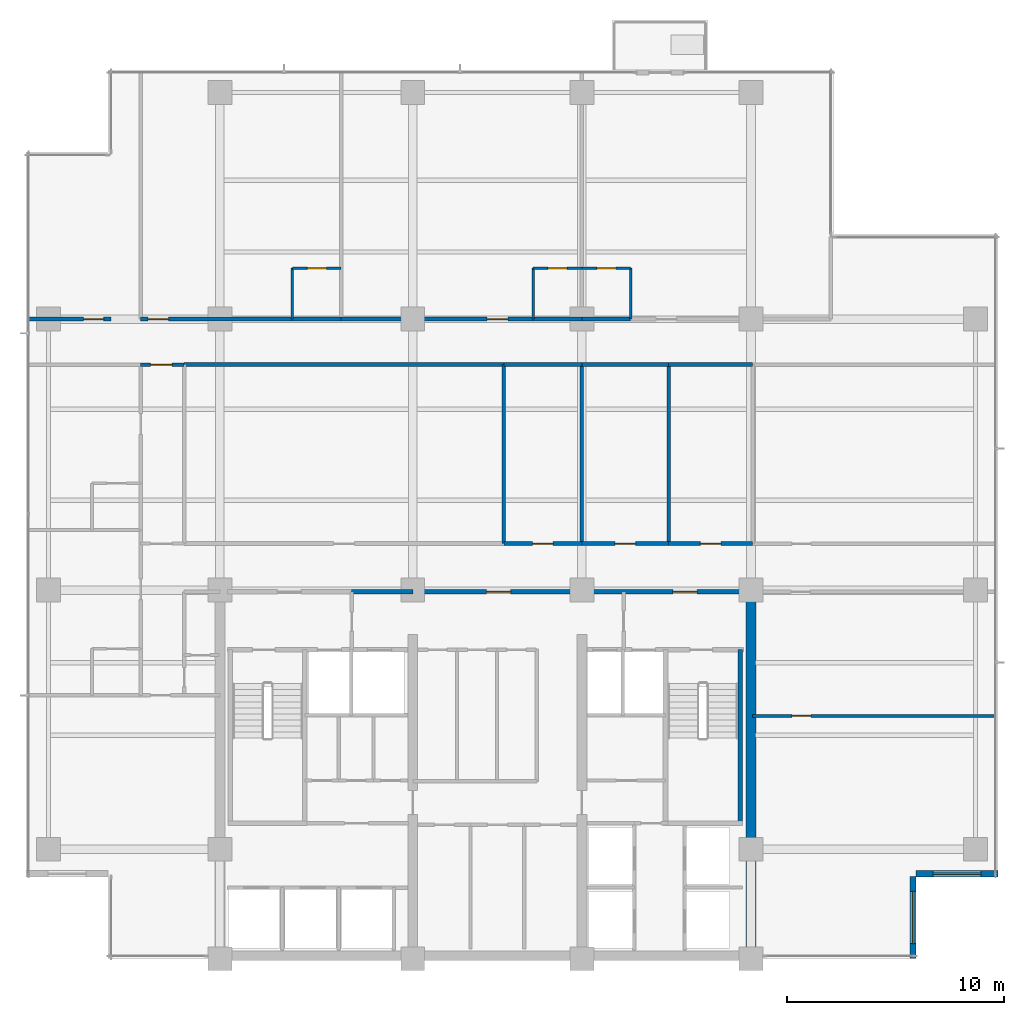
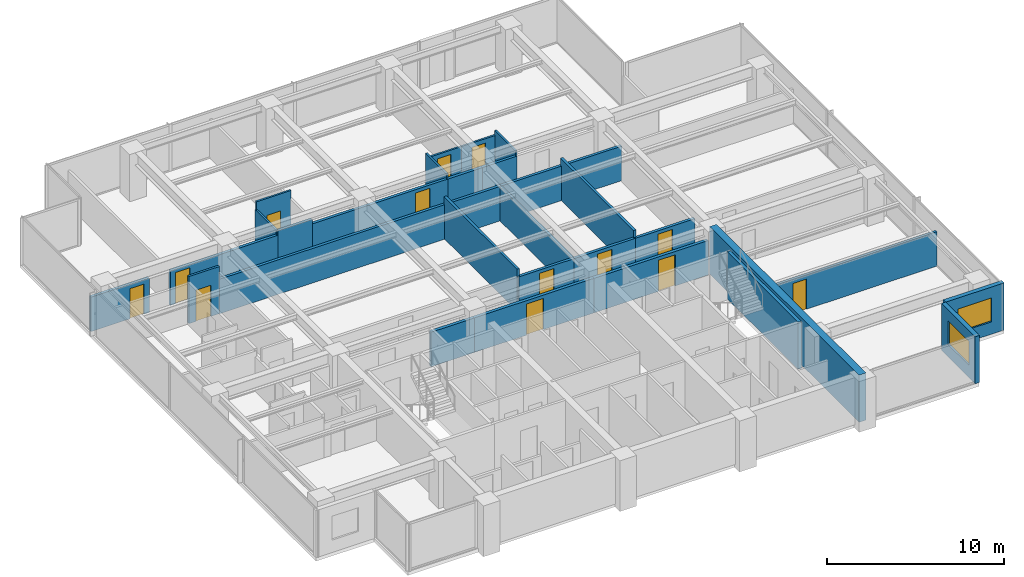
# One storey, part 9 of 15: 31 walls, 13 doors, 2 windows, 15 openings.
"""IFC4 building model written with IfcOpenShell, lengths in metres."""

from ifc_helpers import new_model, si_unit, direction, frame, frame_2d, origin, place, context, subcontext, project, spatial, rectangle, extrude, material, layer, layer_set, type_object, element, fill, save


model = new_model("IFC4")

# Units and contexts
model_context = context("Model", 3, precision=1e-05, world=origin(), true_north=direction((0.0, 1.0)))
body_context = subcontext(model_context, "Body", "Model", "MODEL_VIEW")
ifc_project = project(units=[si_unit("LENGTHUNIT", "METRE"), si_unit("AREAUNIT", "SQUARE_METRE"), si_unit("VOLUMEUNIT", "CUBIC_METRE"), si_unit("PLANEANGLEUNIT", "RADIAN"), si_unit("MASSUNIT", "GRAM", prefix="KILO")], contexts=[model_context])

# Site, building, storey
site_placement = place(None, origin())
site = spatial("IfcSite", under=ifc_project, at=site_placement, CompositionType="ELEMENT")
building_placement = place(site_placement, origin())
building = spatial("IfcBuilding", under=site, at=building_placement, Name="Qalmaran Belvedere Hotel", CompositionType="ELEMENT")
storey_placement = place(building_placement, frame((0.0, 0.0, 163.10009765625)))
storey = spatial("IfcBuildingStorey", under=building, at=storey_placement, Name="L41", CompositionType="ELEMENT", Elevation=163.10009765625)

# Wall
ifc_material_1 = material(Name="Concrete C50/60", Category="concrete")
ifc_layer_1 = layer(ifc_material_1, 0.449951171875, Name="Concrete C50/60")
ifc_layer_set_1 = layer_set([ifc_layer_1], Name="Concrete C50/60")
wall_type_1 = type_object("IfcWallType", Name="WL-CORE-450-C50", PredefinedType="SHEAR", material=ifc_layer_set_1)
wall_1_placement = place(storey_placement, frame((44.800048828125, 3.5, 0.0), z_axis=(0.0, 0.0, 1.0), x_axis=(0.0, 1.0, 0.0)))
element("IfcWall", 1, at=wall_1_placement, inside=storey, type_object=wall_type_1, Name="L41 East Core Shear Wall", PredefinedType="SHEAR", context=body_context, shape_type="SweptSolid", body=[
    extrude(rectangle(XDim=16.89990234375, YDim=0.449951171875, at=frame_2d((8.449951171875, 0.0))), origin(), (0.0, 0.0, 1.0), 3.25),
])

# Wall, opening, window
ifc_material_2 = material(Name="Anodised Bronze Cladding")
ifc_layer_2 = layer(ifc_material_2, 0.280029296875, Name="Anodised Bronze Cladding")
ifc_layer_set_2 = layer_set([ifc_layer_2], Name="Anodised Bronze Cladding")
wall_type_2 = type_object("IfcWallType", Name="WL-EXT-BRNZ-280", PredefinedType="SOLIDWALL", material=ifc_layer_set_2)
wall_2_placement = place(storey_placement, frame((52.280029296875, 3.5, 0.0), z_axis=(0.0, 0.0, 1.0), x_axis=(0.0, 1.0, 0.0)))
wall_2 = element("IfcWall", 2, at=wall_2_placement, inside=storey, type_object=wall_type_2, Name="L41 Corner Notch Wall 1", PredefinedType="SOLIDWALL", context=body_context, shape_type="SweptSolid", body=[
    extrude(rectangle(XDim=3.800048828125, YDim=0.280029296875, at=frame_2d((1.89990234375, 0.0))), origin(), (0.0, 0.0, 1.0), 3.25),
])
opening_1_placement = place(wall_2_placement, frame((0.699951171875, 0.0, 0.85009765625)))
opening_1 = element("IfcOpeningElement", 3, at=opening_1_placement, cuts=wall_2, Name="Opening W-N24", PredefinedType="OPENING", context=body_context, shape_type="SweptSolid", body=[
    extrude(rectangle(XDim=2.39990234375, YDim=1.64990234375, at=frame_2d((1.199951171875, 0.824951171875))), frame((0.0, 0.14990234375, 0.0), z_axis=(0.0, -1.0, 0.0), x_axis=(1.0, 0.0, 0.0)), (0.0, 0.0, 1.0), 0.300048828125),
])
ifc_material_3 = material(Name="Solar-Control Double Glazing", Category="glass")
window_type_1 = type_object("IfcWindowType", Name="WN-NTC-2400X1650", PartitioningType="SINGLE_PANEL", PredefinedType="WINDOW", material=ifc_material_3)
window_1_placement = place(opening_1_placement, origin())
window_1 = element("IfcWindow", 4, at=window_1_placement, inside=storey, type_object=window_type_1, Name="L41 Corner Notch Window 1", OverallHeight=1.64990234375, OverallWidth=2.39990234375, PartitioningType="SINGLE_PANEL", PredefinedType="WINDOW", context=body_context, shape_type="SweptSolid", body=[
    extrude(rectangle(XDim=2.39990234375, YDim=1.64990234375, at=frame_2d((1.199951171875, 0.824951171875))), frame((0.0, 0.030029296875, 0.0), z_axis=(0.0, -1.0, 0.0), x_axis=(1.0, 0.0, 0.0)), (0.0, 0.0, 1.0), 0.06005859375),
])
fill(opening_1, window_1)

wall_3_placement = place(storey_placement, frame((52.39990234375, 7.419921875, 0.0), z_axis=(0.0, 0.0, 1.0), x_axis=(1.0, 0.0, 0.0)))
wall_3 = element("IfcWall", 5, at=wall_3_placement, inside=storey, type_object=wall_type_2, Name="L41 Corner Notch Wall 2", PredefinedType="SOLIDWALL", context=body_context, shape_type="SweptSolid", body=[
    extrude(rectangle(XDim=3.800048828125, YDim=0.280029296875, at=frame_2d((1.89990234375, 0.0))), origin(), (0.0, 0.0, 1.0), 3.25),
])
opening_2_placement = place(wall_3_placement, frame((0.800048828125, 0.0, 0.85009765625)))
opening_2 = element("IfcOpeningElement", 6, at=opening_2_placement, cuts=wall_3, Name="Opening W-N22", PredefinedType="OPENING", context=body_context, shape_type="SweptSolid", body=[
    extrude(rectangle(XDim=2.199951171875, YDim=1.64990234375, at=frame_2d((1.10009765625, 0.824951171875))), frame((0.0, 0.14990234375, 0.0), z_axis=(0.0, -1.0, 0.0), x_axis=(1.0, 0.0, 0.0)), (0.0, 0.0, 1.0), 0.300048828125),
])
window_type_2 = type_object("IfcWindowType", Name="WN-NTC-2200X1650", PartitioningType="SINGLE_PANEL", PredefinedType="WINDOW", material=ifc_material_3)
window_2_placement = place(opening_2_placement, origin())
window_2 = element("IfcWindow", 7, at=window_2_placement, inside=storey, type_object=window_type_2, Name="L41 Corner Notch Window 2", OverallHeight=1.64990234375, OverallWidth=2.199951171875, PartitioningType="SINGLE_PANEL", PredefinedType="WINDOW", context=body_context, shape_type="SweptSolid", body=[
    extrude(rectangle(XDim=2.199951171875, YDim=1.64990234375, at=frame_2d((1.10009765625, 0.824951171875))), frame((0.0, 0.030029296875, 0.0), z_axis=(0.0, -1.0, 0.0), x_axis=(1.0, 0.0, 0.0)), (0.0, 0.0, 1.0), 0.06005859375),
])
fill(opening_2, window_2)

# Wall, opening, door
ifc_material_4 = material(Name="Moisture-Resistant Gypsum")
ifc_layer_3 = layer(ifc_material_4, 0.1201171875, Name="Moisture-Resistant Gypsum")
ifc_layer_set_3 = layer_set([ifc_layer_3], Name="Moisture-Resistant Gypsum")
wall_type_3 = type_object("IfcWallType", Name="WL-INT-120-BATH", PredefinedType="PARTITIONING", material=ifc_layer_set_3)
wall_4_placement = place(storey_placement, frame((23.647216796875, 35.35009765625, 0.0), z_axis=(0.0, 0.0, 1.0), x_axis=(1.0, 0.0, 0.0)))
wall_4 = element("IfcWall", 8, at=wall_4_placement, inside=storey, type_object=wall_type_3, Name="L41 Partition WL-L41-NBN00", PredefinedType="PARTITIONING", context=body_context, shape_type="SweptSolid", body=[
    extrude(rectangle(XDim=2.25, YDim=0.1201171875, at=frame_2d((1.125, 0.0))), origin(), (0.0, 0.0, 1.0), 3.25),
])
opening_3_placement = place(wall_4_placement, frame((1.56494140625, 0.0, 0.0), z_axis=(0.0, 0.0, 1.0), x_axis=(-1.0, 0.0, 0.0)))
opening_3 = element("IfcOpeningElement", 9, at=opening_3_placement, cuts=wall_4, Name="Opening D-BATH", PredefinedType="OPENING", context=body_context, shape_type="SweptSolid", body=[
    extrude(rectangle(XDim=0.8798828125, YDim=2.080078125, at=frame_2d((0.43994140625, 1.0400390625))), frame((0.0, 0.070068359375, 0.0), z_axis=(0.0, -1.0, 0.0), x_axis=(1.0, 0.0, 0.0)), (0.0, 0.0, 1.0), 0.14013671875),
])
ifc_material_5 = material(Name="Engineered Oak Veneer")
door_type_1 = type_object("IfcDoorType", Name="DR-INT-BATH-880X2080", OperationType="NOTDEFINED", PredefinedType="DOOR", material=ifc_material_5)
door_1_placement = place(opening_3_placement, origin())
door_1 = element("IfcDoor", 10, at=door_1_placement, inside=storey, type_object=door_type_1, Name="L41 Ensuite Bathroom Door N01", OperationType="SINGLE_SWING_LEFT", OverallHeight=2.080078125, OverallWidth=0.8798828125, PredefinedType="DOOR", context=body_context, shape_type="SweptSolid", body=[
    extrude(rectangle(XDim=0.8798828125, YDim=2.080078125, at=frame_2d((0.43994140625, 1.0400390625))), frame((0.0, 0.02490234375, 0.0), z_axis=(0.0, -1.0, 0.0), x_axis=(1.0, 0.0, 0.0)), (0.0, 0.0, 1.0), 0.050048828125),
])
fill(opening_3, door_1)

# Wall
wall_5_placement = place(storey_placement, frame((23.647216796875, 33.0, 0.0), z_axis=(0.0, 0.0, 1.0), x_axis=(0.0, 1.0, 0.0)))
element("IfcWall", 11, at=wall_5_placement, inside=storey, type_object=wall_type_3, Name="L41 Partition WL-L41-NBS00", PredefinedType="PARTITIONING", context=body_context, shape_type="SweptSolid", body=[
    extrude(rectangle(XDim=2.35009765625, YDim=0.1201171875, at=frame_2d((1.175048828125, 0.0))), origin(), (0.0, 0.0, 1.0), 2.69189453125),
])

# Wall, opening, door
wall_6_placement = place(storey_placement, frame((34.75, 35.35009765625, 0.0), z_axis=(0.0, 0.0, 1.0), x_axis=(1.0, 0.0, 0.0)))
wall_6 = element("IfcWall", 12, at=wall_6_placement, inside=storey, type_object=wall_type_3, Name="L41 Partition WL-L41-NBN01", PredefinedType="PARTITIONING", context=body_context, shape_type="SweptSolid", body=[
    extrude(rectangle(XDim=2.25, YDim=0.1201171875, at=frame_2d((1.125, 0.0))), origin(), (0.0, 0.0, 1.0), 2.3798828125),
])
opening_4_placement = place(wall_6_placement, frame((1.56494140625, 0.0, 0.0), z_axis=(0.0, 0.0, 1.0), x_axis=(-1.0, 0.0, 0.0)))
opening_4 = element("IfcOpeningElement", 13, at=opening_4_placement, cuts=wall_6, Name="Opening D-BATH", PredefinedType="OPENING", context=body_context, shape_type="SweptSolid", body=[
    extrude(rectangle(XDim=0.8798828125, YDim=2.080078125, at=frame_2d((0.43994140625, 1.0400390625))), frame((0.0, 0.070068359375, 0.0), z_axis=(0.0, -1.0, 0.0), x_axis=(1.0, 0.0, 0.0)), (0.0, 0.0, 1.0), 0.14013671875),
])
door_2_placement = place(opening_4_placement, origin())
door_2 = element("IfcDoor", 14, at=door_2_placement, inside=storey, type_object=door_type_1, Name="L41 Ensuite Bathroom Door N02", OperationType="SINGLE_SWING_LEFT", OverallHeight=2.080078125, OverallWidth=0.8798828125, PredefinedType="DOOR", context=body_context, shape_type="SweptSolid", body=[
    extrude(rectangle(XDim=0.8798828125, YDim=2.080078125, at=frame_2d((0.43994140625, 1.0400390625))), frame((0.0, 0.02490234375, 0.0), z_axis=(0.0, -1.0, 0.0), x_axis=(1.0, 0.0, 0.0)), (0.0, 0.0, 1.0), 0.050048828125),
])
fill(opening_4, door_2)

# Wall
wall_7_placement = place(storey_placement, frame((34.75, 33.0, 0.0), z_axis=(0.0, 0.0, 1.0), x_axis=(0.0, 1.0, 0.0)))
element("IfcWall", 15, at=wall_7_placement, inside=storey, type_object=wall_type_3, Name="L41 Partition WL-L41-NBS01", PredefinedType="PARTITIONING", context=body_context, shape_type="SweptSolid", body=[
    extrude(rectangle(XDim=2.35009765625, YDim=0.1201171875, at=frame_2d((1.175048828125, 0.0))), origin(), (0.0, 0.0, 1.0), 2.69189453125),
])

# Wall, opening, door
wall_8_placement = place(storey_placement, frame((37.0, 35.35009765625, 0.0), z_axis=(0.0, 0.0, 1.0), x_axis=(1.0, 0.0, 0.0)))
wall_8 = element("IfcWall", 16, at=wall_8_placement, inside=storey, type_object=wall_type_3, Name="L41 Partition WL-L41-NBN02", PredefinedType="PARTITIONING", context=body_context, shape_type="SweptSolid", body=[
    extrude(rectangle(XDim=2.25, YDim=0.1201171875, at=frame_2d((1.125, 0.0))), origin(), (0.0, 0.0, 1.0), 2.3798828125),
])
opening_5_placement = place(wall_8_placement, frame((1.56494140625, 0.0, 0.0), z_axis=(0.0, 0.0, 1.0), x_axis=(-1.0, 0.0, 0.0)))
opening_5 = element("IfcOpeningElement", 17, at=opening_5_placement, cuts=wall_8, Name="Opening D-BATH", PredefinedType="OPENING", context=body_context, shape_type="SweptSolid", body=[
    extrude(rectangle(XDim=0.8798828125, YDim=2.080078125, at=frame_2d((0.43994140625, 1.0400390625))), frame((0.0, 0.070068359375, 0.0), z_axis=(0.0, -1.0, 0.0), x_axis=(1.0, 0.0, 0.0)), (0.0, 0.0, 1.0), 0.14013671875),
])
door_3_placement = place(opening_5_placement, origin())
door_3 = element("IfcDoor", 18, at=door_3_placement, inside=storey, type_object=door_type_1, Name="L41 Ensuite Bathroom Door N03", OperationType="SINGLE_SWING_LEFT", OverallHeight=2.080078125, OverallWidth=0.8798828125, PredefinedType="DOOR", context=body_context, shape_type="SweptSolid", body=[
    extrude(rectangle(XDim=0.8798828125, YDim=2.080078125, at=frame_2d((0.43994140625, 1.0400390625))), frame((0.0, 0.02490234375, 0.0), z_axis=(0.0, -1.0, 0.0), x_axis=(1.0, 0.0, 0.0)), (0.0, 0.0, 1.0), 0.050048828125),
])
fill(opening_5, door_3)

# Wall
wall_9_placement = place(storey_placement, frame((39.25, 33.0, 0.0), z_axis=(0.0, 0.0, 1.0), x_axis=(0.0, 1.0, 0.0)))
element("IfcWall", 19, at=wall_9_placement, inside=storey, type_object=wall_type_3, Name="L41 Partition WL-L41-NBS02", PredefinedType="PARTITIONING", context=body_context, shape_type="SweptSolid", body=[
    extrude(rectangle(XDim=2.35009765625, YDim=0.1201171875, at=frame_2d((1.175048828125, 0.0))), origin(), (0.0, 0.0, 1.0), 2.69189453125),
])

# Wall, opening, door
ifc_material_6 = material(Name="Gypsum Stud Partition")
ifc_layer_4 = layer(ifc_material_6, 0.14990234375, Name="Gypsum Stud Partition")
ifc_layer_set_4 = layer_set([ifc_layer_4], Name="Gypsum Stud Partition")
wall_type_4 = type_object("IfcWallType", Name="WL-INT-150-EI60", PredefinedType="PARTITIONING", material=ifc_layer_set_4)
wall_10_placement = place(storey_placement, frame((44.8798828125, 14.699951171875, 0.0), z_axis=(0.0, 0.0, 1.0), x_axis=(1.0, 0.0, 0.0)))
wall_10 = element("IfcWall", 20, at=wall_10_placement, inside=storey, type_object=wall_type_4, Name="L41 Partition WL-L41-ECEH0", PredefinedType="PARTITIONING", context=body_context, shape_type="SweptSolid", body=[
    extrude(rectangle(XDim=11.2001953125, YDim=0.14990234375, at=frame_2d((5.60009765625, 0.0))), origin(), (0.0, 0.0, 1.0), 2.3798828125),
])
opening_6_placement = place(wall_10_placement, frame((2.679931640625, 0.0, 0.0), z_axis=(0.0, 0.0, 1.0), x_axis=(-1.0, 0.0, 0.0)))
opening_6 = element("IfcOpeningElement", 21, at=opening_6_placement, cuts=wall_10, Name="Opening FD60B", PredefinedType="OPENING", context=body_context, shape_type="SweptSolid", body=[
    extrude(rectangle(XDim=0.8798828125, YDim=2.080078125, at=frame_2d((0.43994140625, 1.0400390625))), frame((0.0, 0.0849609375, 0.0), z_axis=(0.0, -1.0, 0.0), x_axis=(1.0, 0.0, 0.0)), (0.0, 0.0, 1.0), 0.169921875),
])
ifc_material_7 = material(Name="Steel S355JR", Category="steel")
door_type_2 = type_object("IfcDoorType", Name="DR-FD60B-880X2080", OperationType="NOTDEFINED", PredefinedType="DOOR", material=ifc_material_7)
door_4_placement = place(opening_6_placement, origin())
door_4 = element("IfcDoor", 22, at=door_4_placement, inside=storey, type_object=door_type_2, Name="L41 East Study Inner Door", OperationType="SINGLE_SWING_RIGHT", OverallHeight=2.080078125, OverallWidth=0.8798828125, PredefinedType="DOOR", context=body_context, shape_type="SweptSolid", body=[
    extrude(rectangle(XDim=0.8798828125, YDim=2.080078125, at=frame_2d((0.43994140625, 1.0400390625))), frame((0.0, 0.02490234375, 0.0), z_axis=(0.0, -1.0, 0.0), x_axis=(1.0, 0.0, 0.0)), (0.0, 0.0, 1.0), 0.050048828125),
])
fill(opening_6, door_4)

wall_11_placement = place(storey_placement, frame((16.64990234375, 30.89990234375, 0.0), z_axis=(0.0, 0.0, 1.0), x_axis=(1.0, 0.0, 0.0)))
wall_11 = element("IfcWall", 23, at=wall_11_placement, inside=storey, type_object=wall_type_4, Name="L41 Partition WL-L41-XCW2", PredefinedType="PARTITIONING", context=body_context, shape_type="SweptSolid", body=[
    extrude(rectangle(XDim=2.0, YDim=0.14990234375, at=frame_2d((1.0, 0.0))), origin(), (0.0, 0.0, 1.0), 3.25),
])
opening_7_placement = place(wall_11_placement, frame((0.449951171875, 0.0, 0.0)))
opening_7 = element("IfcOpeningElement", 24, at=opening_7_placement, cuts=wall_11, Name="Opening FD90B", PredefinedType="OPENING", context=body_context, shape_type="SweptSolid", body=[
    extrude(rectangle(XDim=1.0, YDim=2.14990234375, at=frame_2d((0.5, 1.074951171875))), frame((0.0, 0.0849609375, 0.0), z_axis=(0.0, -1.0, 0.0), x_axis=(1.0, 0.0, 0.0)), (0.0, 0.0, 1.0), 0.169921875),
])
door_type_3 = type_object("IfcDoorType", Name="DR-FD90B-1000X2150", OperationType="NOTDEFINED", PredefinedType="DOOR", material=ifc_material_7)
door_5_placement = place(opening_7_placement, origin())
door_5 = element("IfcDoor", 25, at=door_5_placement, inside=storey, type_object=door_type_3, Name="L41 West Corridor Smoke Door N", OperationType="SINGLE_SWING_RIGHT", OverallHeight=2.14990234375, OverallWidth=1.0, PredefinedType="DOOR", context=body_context, shape_type="SweptSolid", body=[
    extrude(rectangle(XDim=1.0, YDim=2.14990234375, at=frame_2d((0.5, 1.074951171875))), frame((0.0, 0.02490234375, 0.0), z_axis=(0.0, -1.0, 0.0), x_axis=(1.0, 0.0, 0.0)), (0.0, 0.0, 1.0), 0.050048828125),
])
fill(opening_7, door_5)

# Walls
ifc_layer_5 = layer(ifc_material_6, 0.159912109375, Name="Gypsum Stud Partition")
ifc_layer_set_5 = layer_set([ifc_layer_5], Name="Gypsum Stud Partition")
wall_type_5 = type_object("IfcWallType", Name="WL-INT-160-EI60", PredefinedType="PARTITIONING", material=ifc_layer_set_5)
wall_12_placement = place(storey_placement, frame((33.39990234375, 22.64990234375, 0.0), z_axis=(0.0, 0.0, 1.0), x_axis=(0.0, 1.0, 0.0)))
element("IfcWall", 26, at=wall_12_placement, inside=storey, type_object=wall_type_5, Name="L41 Partition WL-L41-MIDVR1", PredefinedType="PARTITIONING", context=body_context, shape_type="SweptSolid", body=[
    extrude(rectangle(XDim=8.25, YDim=0.159912109375, at=frame_2d((4.125, 0.0))), origin(), (0.0, 0.0, 1.0), 2.880859375),
])
wall_13_placement = place(storey_placement, frame((37.0, 22.64990234375, 0.0), z_axis=(0.0, 0.0, 1.0), x_axis=(0.0, 1.0, 0.0)))
element("IfcWall", 27, at=wall_13_placement, inside=storey, type_object=wall_type_5, Name="L41 Partition WL-L41-MIDVR2", PredefinedType="PARTITIONING", context=body_context, shape_type="SweptSolid", body=[
    extrude(rectangle(XDim=8.25, YDim=0.159912109375, at=frame_2d((4.125, 0.0))), origin(), (0.0, 0.0, 1.0), 2.3798828125),
])
wall_14_placement = place(storey_placement, frame((41.0, 22.64990234375, 0.0), z_axis=(0.0, 0.0, 1.0), x_axis=(0.0, 1.0, 0.0)))
element("IfcWall", 28, at=wall_14_placement, inside=storey, type_object=wall_type_5, Name="L41 Partition WL-L41-MIDVR3", PredefinedType="PARTITIONING", context=body_context, shape_type="SweptSolid", body=[
    extrude(rectangle(XDim=8.25, YDim=0.159912109375, at=frame_2d((4.125, 0.0))), origin(), (0.0, 0.0, 1.0), 2.880859375),
])
ifc_layer_6 = layer(ifc_material_6, 0.179931640625, Name="Gypsum Stud Partition")
ifc_layer_set_6 = layer_set([ifc_layer_6], Name="Gypsum Stud Partition")
wall_type_6 = type_object("IfcWallType", Name="WL-INT-180-EI60", PredefinedType="PARTITIONING", material=ifc_layer_set_6)
wall_15_placement = place(storey_placement, frame((18.64990234375, 30.89990234375, 0.0), z_axis=(0.0, 0.0, 1.0), x_axis=(1.0, 0.0, 0.0)))
element("IfcWall", 29, at=wall_15_placement, inside=storey, type_object=wall_type_6, Name="L41 Partition WL-L41-MIDO1", PredefinedType="PARTITIONING", context=body_context, shape_type="SweptSolid", body=[
    extrude(rectangle(XDim=14.75, YDim=0.179931640625, at=frame_2d((7.375, 0.0))), origin(), (0.0, 0.0, 1.0), 2.3798828125),
])

# Wall, opening, door
wall_16_placement = place(storey_placement, frame((33.39990234375, 22.64990234375, 0.0), z_axis=(0.0, 0.0, 1.0), x_axis=(1.0, 0.0, 0.0)))
wall_16 = element("IfcWall", 30, at=wall_16_placement, inside=storey, type_object=wall_type_6, Name="L41 Partition WL-L41-MIDD2", PredefinedType="PARTITIONING", context=body_context, shape_type="SweptSolid", body=[
    extrude(rectangle(XDim=3.60009765625, YDim=0.179931640625, at=frame_2d((1.800048828125, 0.0))), origin(), (0.0, 0.0, 1.0), 2.3798828125),
])
opening_8_placement = place(wall_16_placement, frame((1.324951171875, 0.0, 0.0)))
opening_8 = element("IfcOpeningElement", 31, at=opening_8_placement, cuts=wall_16, Name="Opening FD60", PredefinedType="OPENING", context=body_context, shape_type="SweptSolid", body=[
    extrude(rectangle(XDim=0.949951171875, YDim=2.14990234375, at=frame_2d((0.47509765625, 1.074951171875))), frame((0.0, 0.10009765625, 0.0), z_axis=(0.0, -1.0, 0.0), x_axis=(1.0, 0.0, 0.0)), (0.0, 0.0, 1.0), 0.199951171875),
])
door_type_4 = type_object("IfcDoorType", Name="DR-FD60-950X2150", OperationType="NOTDEFINED", PredefinedType="DOOR", material=ifc_material_5)
door_6_placement = place(opening_8_placement, origin())
door_6 = element("IfcDoor", 32, at=door_6_placement, inside=storey, type_object=door_type_4, Name="L41 Butler Pantry Door", OperationType="SINGLE_SWING_RIGHT", OverallHeight=2.14990234375, OverallWidth=0.949951171875, PredefinedType="DOOR", context=body_context, shape_type="SweptSolid", body=[
    extrude(rectangle(XDim=0.949951171875, YDim=2.14990234375, at=frame_2d((0.47509765625, 1.074951171875))), frame((0.0, 0.02490234375, 0.0), z_axis=(0.0, -1.0, 0.0), x_axis=(1.0, 0.0, 0.0)), (0.0, 0.0, 1.0), 0.050048828125),
])
fill(opening_8, door_6)

# Wall
wall_17_placement = place(storey_placement, frame((33.39990234375, 30.89990234375, 0.0), z_axis=(0.0, 0.0, 1.0), x_axis=(1.0, 0.0, 0.0)))
element("IfcWall", 33, at=wall_17_placement, inside=storey, type_object=wall_type_6, Name="L41 Partition WL-L41-MIDO2", PredefinedType="PARTITIONING", context=body_context, shape_type="SweptSolid", body=[
    extrude(rectangle(XDim=3.60009765625, YDim=0.179931640625, at=frame_2d((1.800048828125, 0.0))), origin(), (0.0, 0.0, 1.0), 2.3798828125),
])

# Wall, opening, door
wall_18_placement = place(storey_placement, frame((37.0, 22.64990234375, 0.0), z_axis=(0.0, 0.0, 1.0), x_axis=(1.0, 0.0, 0.0)))
wall_18 = element("IfcWall", 34, at=wall_18_placement, inside=storey, type_object=wall_type_6, Name="L41 Partition WL-L41-MIDD3", PredefinedType="PARTITIONING", context=body_context, shape_type="SweptSolid", body=[
    extrude(rectangle(XDim=4.0, YDim=0.179931640625, at=frame_2d((2.0, 0.0))), origin(), (0.0, 0.0, 1.0), 2.3798828125),
])
opening_9_placement = place(wall_18_placement, frame((1.52490234375, 0.0, 0.0)))
opening_9 = element("IfcOpeningElement", 35, at=opening_9_placement, cuts=wall_18, Name="Opening FD60", PredefinedType="OPENING", context=body_context, shape_type="SweptSolid", body=[
    extrude(rectangle(XDim=0.949951171875, YDim=2.14990234375, at=frame_2d((0.47509765625, 1.074951171875))), frame((0.0, 0.10009765625, 0.0), z_axis=(0.0, -1.0, 0.0), x_axis=(1.0, 0.0, 0.0)), (0.0, 0.0, 1.0), 0.199951171875),
])
door_7_placement = place(opening_9_placement, origin())
door_7 = element("IfcDoor", 36, at=door_7_placement, inside=storey, type_object=door_type_4, Name="L41 Coffee Pantry Door", OperationType="SINGLE_SWING_LEFT", OverallHeight=2.14990234375, OverallWidth=0.949951171875, PredefinedType="DOOR", context=body_context, shape_type="SweptSolid", body=[
    extrude(rectangle(XDim=0.949951171875, YDim=2.14990234375, at=frame_2d((0.47509765625, 1.074951171875))), frame((0.0, 0.02490234375, 0.0), z_axis=(0.0, -1.0, 0.0), x_axis=(1.0, 0.0, 0.0)), (0.0, 0.0, 1.0), 0.050048828125),
])
fill(opening_9, door_7)

# Wall
wall_19_placement = place(storey_placement, frame((37.0, 30.89990234375, 0.0), z_axis=(0.0, 0.0, 1.0), x_axis=(1.0, 0.0, 0.0)))
element("IfcWall", 37, at=wall_19_placement, inside=storey, type_object=wall_type_6, Name="L41 Partition WL-L41-MIDO3", PredefinedType="PARTITIONING", context=body_context, shape_type="SweptSolid", body=[
    extrude(rectangle(XDim=4.0, YDim=0.179931640625, at=frame_2d((2.0, 0.0))), origin(), (0.0, 0.0, 1.0), 2.3798828125),
])

# Wall, opening, door
wall_20_placement = place(storey_placement, frame((41.0, 22.64990234375, 0.0), z_axis=(0.0, 0.0, 1.0), x_axis=(1.0, 0.0, 0.0)))
wall_20 = element("IfcWall", 38, at=wall_20_placement, inside=storey, type_object=wall_type_6, Name="L41 Partition WL-L41-MIDD4", PredefinedType="PARTITIONING", context=body_context, shape_type="SweptSolid", body=[
    extrude(rectangle(XDim=3.8798828125, YDim=0.179931640625, at=frame_2d((1.93994140625, 0.0))), origin(), (0.0, 0.0, 1.0), 2.3798828125),
])
opening_10_placement = place(wall_20_placement, frame((1.465087890625, 0.0, 0.0)))
opening_10 = element("IfcOpeningElement", 39, at=opening_10_placement, cuts=wall_20, Name="Opening FD60", PredefinedType="OPENING", context=body_context, shape_type="SweptSolid", body=[
    extrude(rectangle(XDim=0.949951171875, YDim=2.14990234375, at=frame_2d((0.47509765625, 1.074951171875))), frame((0.0, 0.10009765625, 0.0), z_axis=(0.0, -1.0, 0.0), x_axis=(1.0, 0.0, 0.0)), (0.0, 0.0, 1.0), 0.199951171875),
])
door_8_placement = place(opening_10_placement, origin())
door_8 = element("IfcDoor", 40, at=door_8_placement, inside=storey, type_object=door_type_4, Name="L41 Beverage Pantry Door", OperationType="SINGLE_SWING_RIGHT", OverallHeight=2.14990234375, OverallWidth=0.949951171875, PredefinedType="DOOR", context=body_context, shape_type="SweptSolid", body=[
    extrude(rectangle(XDim=0.949951171875, YDim=2.14990234375, at=frame_2d((0.47509765625, 1.074951171875))), frame((0.0, 0.02490234375, 0.0), z_axis=(0.0, -1.0, 0.0), x_axis=(1.0, 0.0, 0.0)), (0.0, 0.0, 1.0), 0.050048828125),
])
fill(opening_10, door_8)

# Walls
wall_21_placement = place(storey_placement, frame((41.0, 30.89990234375, 0.0), z_axis=(0.0, 0.0, 1.0), x_axis=(1.0, 0.0, 0.0)))
element("IfcWall", 41, at=wall_21_placement, inside=storey, type_object=wall_type_6, Name="L41 Partition WL-L41-MIDO4", PredefinedType="PARTITIONING", context=body_context, shape_type="SweptSolid", body=[
    extrude(rectangle(XDim=3.8798828125, YDim=0.179931640625, at=frame_2d((1.93994140625, 0.0))), origin(), (0.0, 0.0, 1.0), 2.3798828125),
])
wall_22_placement = place(storey_placement, frame((23.647216796875, 33.0, 0.0), z_axis=(0.0, 0.0, 1.0), x_axis=(1.0, 0.0, 0.0)))
element("IfcWall", 42, at=wall_22_placement, inside=storey, type_object=wall_type_6, Name="L41 Partition WL-L41-NBC00", PredefinedType="PARTITIONING", context=body_context, shape_type="SweptSolid", body=[
    extrude(rectangle(XDim=2.25, YDim=0.179931640625, at=frame_2d((1.125, 0.0))), origin(), (0.0, 0.0, 1.0), 2.69189453125),
])

# Wall, opening, door
wall_23_placement = place(storey_placement, frame((16.64990234375, 33.0, 0.0), z_axis=(0.0, 0.0, 1.0), x_axis=(1.0, 0.0, 0.0)))
wall_23 = element("IfcWall", 43, at=wall_23_placement, inside=storey, type_object=wall_type_6, Name="L41 Partition WL-L41-NEC00", PredefinedType="PARTITIONING", context=body_context, shape_type="SweptSolid", body=[
    extrude(rectangle(XDim=6.997314453125, YDim=0.179931640625, at=frame_2d((3.49853515625, 0.0))), origin(), (0.0, 0.0, 1.0), 2.3798828125),
])
opening_11_placement = place(wall_23_placement, frame((0.33935546875, 0.0, 0.0)))
opening_11 = element("IfcOpeningElement", 44, at=opening_11_placement, cuts=wall_23, Name="Opening FD60", PredefinedType="OPENING", context=body_context, shape_type="SweptSolid", body=[
    extrude(rectangle(XDim=0.949951171875, YDim=2.14990234375, at=frame_2d((0.47509765625, 1.074951171875))), frame((0.0, 0.10009765625, 0.0), z_axis=(0.0, -1.0, 0.0), x_axis=(1.0, 0.0, 0.0)), (0.0, 0.0, 1.0), 0.199951171875),
])
door_9_placement = place(opening_11_placement, origin())
door_9 = element("IfcDoor", 45, at=door_9_placement, inside=storey, type_object=door_type_4, Name="L41 Guest Entrance Door N01", OperationType="SINGLE_SWING_RIGHT", OverallHeight=2.14990234375, OverallWidth=0.949951171875, PredefinedType="DOOR", context=body_context, shape_type="SweptSolid", body=[
    extrude(rectangle(XDim=0.949951171875, YDim=2.14990234375, at=frame_2d((0.47509765625, 1.074951171875))), frame((0.0, 0.02490234375, 0.0), z_axis=(0.0, -1.0, 0.0), x_axis=(1.0, 0.0, 0.0)), (0.0, 0.0, 1.0), 0.050048828125),
])
fill(opening_11, door_9)

# Wall
wall_24_placement = place(storey_placement, frame((34.75, 33.0, 0.0), z_axis=(0.0, 0.0, 1.0), x_axis=(1.0, 0.0, 0.0)))
element("IfcWall", 46, at=wall_24_placement, inside=storey, type_object=wall_type_6, Name="L41 Partition WL-L41-NBC01", PredefinedType="PARTITIONING", context=body_context, shape_type="SweptSolid", body=[
    extrude(rectangle(XDim=2.25, YDim=0.179931640625, at=frame_2d((1.125, 0.0))), origin(), (0.0, 0.0, 1.0), 2.3798828125),
])

# Wall, opening, door
wall_25_placement = place(storey_placement, frame((25.897216796875, 33.0, 0.0), z_axis=(0.0, 0.0, 1.0), x_axis=(1.0, 0.0, 0.0)))
wall_25 = element("IfcWall", 47, at=wall_25_placement, inside=storey, type_object=wall_type_6, Name="L41 Partition WL-L41-NEC01", PredefinedType="PARTITIONING", context=body_context, shape_type="SweptSolid", body=[
    extrude(rectangle(XDim=8.852783203125, YDim=0.179931640625, at=frame_2d((4.42626953125, 0.0))), origin(), (0.0, 0.0, 1.0), 2.3798828125),
])
opening_12_placement = place(wall_25_placement, frame((6.735107421875, 0.0, 0.0)))
opening_12 = element("IfcOpeningElement", 48, at=opening_12_placement, cuts=wall_25, Name="Opening FD60", PredefinedType="OPENING", context=body_context, shape_type="SweptSolid", body=[
    extrude(rectangle(XDim=0.949951171875, YDim=2.14990234375, at=frame_2d((0.47509765625, 1.074951171875))), frame((0.0, 0.10009765625, 0.0), z_axis=(0.0, -1.0, 0.0), x_axis=(1.0, 0.0, 0.0)), (0.0, 0.0, 1.0), 0.199951171875),
])
door_10_placement = place(opening_12_placement, origin())
door_10 = element("IfcDoor", 49, at=door_10_placement, inside=storey, type_object=door_type_4, Name="L41 Guest Entrance Door N02", OperationType="SINGLE_SWING_RIGHT", OverallHeight=2.14990234375, OverallWidth=0.949951171875, PredefinedType="DOOR", context=body_context, shape_type="SweptSolid", body=[
    extrude(rectangle(XDim=0.949951171875, YDim=2.14990234375, at=frame_2d((0.47509765625, 1.074951171875))), frame((0.0, 0.02490234375, 0.0), z_axis=(0.0, -1.0, 0.0), x_axis=(1.0, 0.0, 0.0)), (0.0, 0.0, 1.0), 0.050048828125),
])
fill(opening_12, door_10)

# Wall
wall_26_placement = place(storey_placement, frame((37.0, 33.0, 0.0), z_axis=(0.0, 0.0, 1.0), x_axis=(1.0, 0.0, 0.0)))
element("IfcWall", 50, at=wall_26_placement, inside=storey, type_object=wall_type_6, Name="L41 Partition WL-L41-NBC02", PredefinedType="PARTITIONING", context=body_context, shape_type="SweptSolid", body=[
    extrude(rectangle(XDim=2.25, YDim=0.179931640625, at=frame_2d((1.125, 0.0))), origin(), (0.0, 0.0, 1.0), 2.3798828125),
])

# Wall, opening, door
wall_27_placement = place(storey_placement, frame((11.469970703125, 33.0, 0.0), z_axis=(0.0, 0.0, 1.0), x_axis=(1.0, 0.0, 0.0)))
wall_27 = element("IfcWall", 51, at=wall_27_placement, inside=storey, type_object=wall_type_6, Name="L41 Partition WL-L41-NWSD", PredefinedType="PARTITIONING", context=body_context, shape_type="SweptSolid", body=[
    extrude(rectangle(XDim=3.800048828125, YDim=0.179931640625, at=frame_2d((1.89990234375, 0.0))), origin(), (0.0, 0.0, 1.0), 2.3798828125),
])
opening_13_placement = place(wall_27_placement, frame((2.543701171875, 0.0, 0.0)))
opening_13 = element("IfcOpeningElement", 52, at=opening_13_placement, cuts=wall_27, Name="Opening FD60S1", PredefinedType="OPENING", context=body_context, shape_type="SweptSolid", body=[
    extrude(rectangle(XDim=0.919921875, YDim=2.080078125, at=frame_2d((0.4599609375, 1.0400390625))), frame((0.0, 0.10009765625, 0.0), z_axis=(0.0, -1.0, 0.0), x_axis=(1.0, 0.0, 0.0)), (0.0, 0.0, 1.0), 0.199951171875),
])
door_type_5 = type_object("IfcDoorType", Name="DR-FD60S-920X2080", OperationType="NOTDEFINED", PredefinedType="DOOR", material=ifc_material_5)
door_11_placement = place(opening_13_placement, origin())
door_11 = element("IfcDoor", 53, at=door_11_placement, inside=storey, type_object=door_type_5, Name="L41 NW Belvedere Study Door", OperationType="SINGLE_SWING_LEFT", OverallHeight=2.080078125, OverallWidth=0.919921875, PredefinedType="DOOR", context=body_context, shape_type="SweptSolid", body=[
    extrude(rectangle(XDim=0.919921875, YDim=2.080078125, at=frame_2d((0.4599609375, 1.0400390625))), frame((0.0, 0.02490234375, 0.0), z_axis=(0.0, -1.0, 0.0), x_axis=(1.0, 0.0, 0.0)), (0.0, 0.0, 1.0), 0.050048828125),
])
fill(opening_13, door_11)

# Wall
ifc_material_8 = material(Name="Concrete C30/37 Blockwork", Category="masonry")
ifc_layer_7 = layer(ifc_material_8, 0.199951171875, Name="Concrete C30/37 Blockwork")
ifc_layer_set_7 = layer_set([ifc_layer_7], Name="Concrete C30/37 Blockwork")
wall_type_7 = type_object("IfcWallType", Name="WL-INT-200-EI120", PredefinedType="PARTITIONING", material=ifc_layer_set_7)
wall_28_placement = place(storey_placement, frame((26.3798828125, 20.419921875, 0.0), z_axis=(0.0, 0.0, 1.0), x_axis=(1.0, 0.0, 0.0)))
element("IfcWall", 54, at=wall_28_placement, inside=storey, type_object=wall_type_7, Name="L41 Partition WL-CN1B-L41", PredefinedType="PARTITIONING", context=body_context, shape_type="SweptSolid", body=[
    extrude(rectangle(XDim=2.820068359375, YDim=0.199951171875, at=frame_2d((1.41015625, 0.0))), origin(), (0.0, 0.0, 1.0), 2.3798828125),
])

# Wall, opening, door
wall_29_placement = place(storey_placement, frame((29.199951171875, 20.419921875, 0.0), z_axis=(0.0, 0.0, 1.0), x_axis=(1.0, 0.0, 0.0)))
wall_29 = element("IfcWall", 55, at=wall_29_placement, inside=storey, type_object=wall_type_7, Name="L41 Partition WL-CN2-L41", PredefinedType="PARTITIONING", context=body_context, shape_type="SweptSolid", body=[
    extrude(rectangle(XDim=7.800048828125, YDim=0.199951171875, at=frame_2d((3.89990234375, 0.0))), origin(), (0.0, 0.0, 1.0), 2.3798828125),
])
opening_14_placement = place(wall_29_placement, frame((3.4091796875, 0.0, 0.0)))
opening_14 = element("IfcOpeningElement", 56, at=opening_14_placement, cuts=wall_29, Name="Opening FD90", PredefinedType="OPENING", context=body_context, shape_type="SweptSolid", body=[
    extrude(rectangle(XDim=1.10009765625, YDim=2.14990234375, at=frame_2d((0.550048828125, 1.074951171875))), frame((0.0, 0.10986328125, 0.0), z_axis=(0.0, -1.0, 0.0), x_axis=(1.0, 0.0, 0.0)), (0.0, 0.0, 1.0), 0.219970703125),
])
door_type_6 = type_object("IfcDoorType", Name="DR-FD90-1100X2150", OperationType="NOTDEFINED", PredefinedType="DOOR", material=ifc_material_7)
door_12_placement = place(opening_14_placement, origin())
door_12 = element("IfcDoor", 57, at=door_12_placement, inside=storey, type_object=door_type_6, Name="L41 Central Lift Lobby Door", OperationType="SINGLE_SWING_RIGHT", OverallHeight=2.14990234375, OverallWidth=1.10009765625, PredefinedType="DOOR", context=body_context, shape_type="SweptSolid", body=[
    extrude(rectangle(XDim=1.10009765625, YDim=2.14990234375, at=frame_2d((0.550048828125, 1.074951171875))), frame((0.0, 0.02490234375, 0.0), z_axis=(0.0, -1.0, 0.0), x_axis=(1.0, 0.0, 0.0)), (0.0, 0.0, 1.0), 0.050048828125),
])
fill(opening_14, door_12)

wall_30_placement = place(storey_placement, frame((37.0, 20.419921875, 0.0), z_axis=(0.0, 0.0, 1.0), x_axis=(1.0, 0.0, 0.0)))
wall_30 = element("IfcWall", 58, at=wall_30_placement, inside=storey, type_object=wall_type_7, Name="L41 Partition WL-CN3-L41", PredefinedType="PARTITIONING", context=body_context, shape_type="SweptSolid", body=[
    extrude(rectangle(XDim=7.449951171875, YDim=0.199951171875, at=frame_2d((3.72509765625, 0.0))), origin(), (0.0, 0.0, 1.0), 2.3798828125),
])
opening_15_placement = place(wall_30_placement, frame((4.199951171875, 0.0, 0.0)))
opening_15 = element("IfcOpeningElement", 59, at=opening_15_placement, cuts=wall_30, Name="Opening FD90", PredefinedType="OPENING", context=body_context, shape_type="SweptSolid", body=[
    extrude(rectangle(XDim=1.10009765625, YDim=2.14990234375, at=frame_2d((0.550048828125, 1.074951171875))), frame((0.0, 0.10986328125, 0.0), z_axis=(0.0, -1.0, 0.0), x_axis=(1.0, 0.0, 0.0)), (0.0, 0.0, 1.0), 0.219970703125),
])
door_13_placement = place(opening_15_placement, origin())
door_13 = element("IfcDoor", 60, at=door_13_placement, inside=storey, type_object=door_type_6, Name="L41 FF2 Lobby Corridor Door", OperationType="SINGLE_SWING_LEFT", OverallHeight=2.14990234375, OverallWidth=1.10009765625, PredefinedType="DOOR", context=body_context, shape_type="SweptSolid", body=[
    extrude(rectangle(XDim=1.10009765625, YDim=2.14990234375, at=frame_2d((0.550048828125, 1.074951171875))), frame((0.0, 0.02490234375, 0.0), z_axis=(0.0, -1.0, 0.0), x_axis=(1.0, 0.0, 0.0)), (0.0, 0.0, 1.0), 0.050048828125),
])
fill(opening_15, door_13)

# Wall
ifc_layer_8 = layer(ifc_material_1, 0.2099609375, Name="Concrete C50/60")
ifc_layer_set_8 = layer_set([ifc_layer_8], Name="Concrete C50/60")
wall_type_8 = type_object("IfcWallType", Name="WL-STAIR-210-C50", PredefinedType="SHEAR", material=ifc_layer_set_8)
wall_31_placement = place(storey_placement, frame((44.304931640625, 9.7451171875, 0.0), z_axis=(0.0, 0.0, 1.0), x_axis=(0.0, 1.0, 0.0)))
element("IfcWall", 61, at=wall_31_placement, inside=storey, type_object=wall_type_8, Name="L41 Stair ST-2 East Bearing Wall", PredefinedType="SHEAR", context=body_context, shape_type="SweptSolid", body=[
    extrude(rectangle(XDim=8.009765625, YDim=0.2099609375, at=frame_2d((4.0048828125, 0.0))), origin(), (0.0, 0.0, 1.0), 3.25),
])

save(model, "model.ifc")
